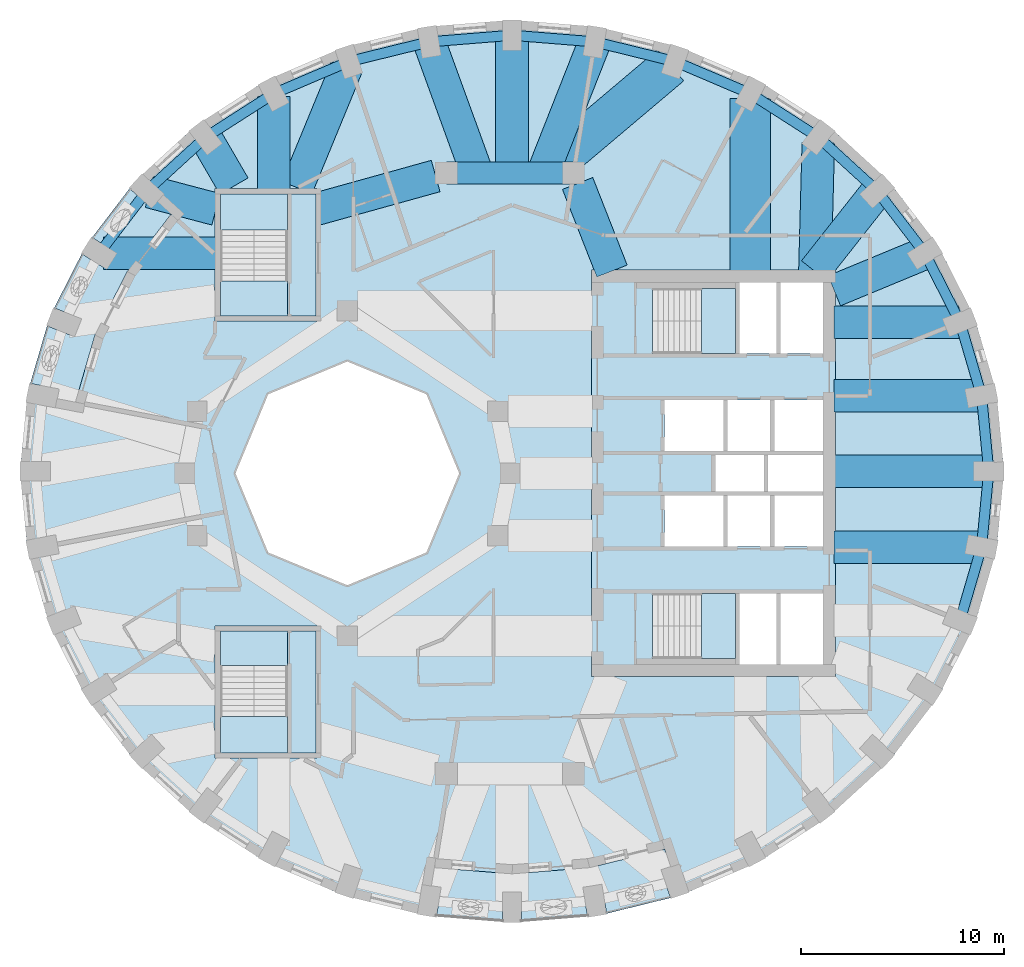
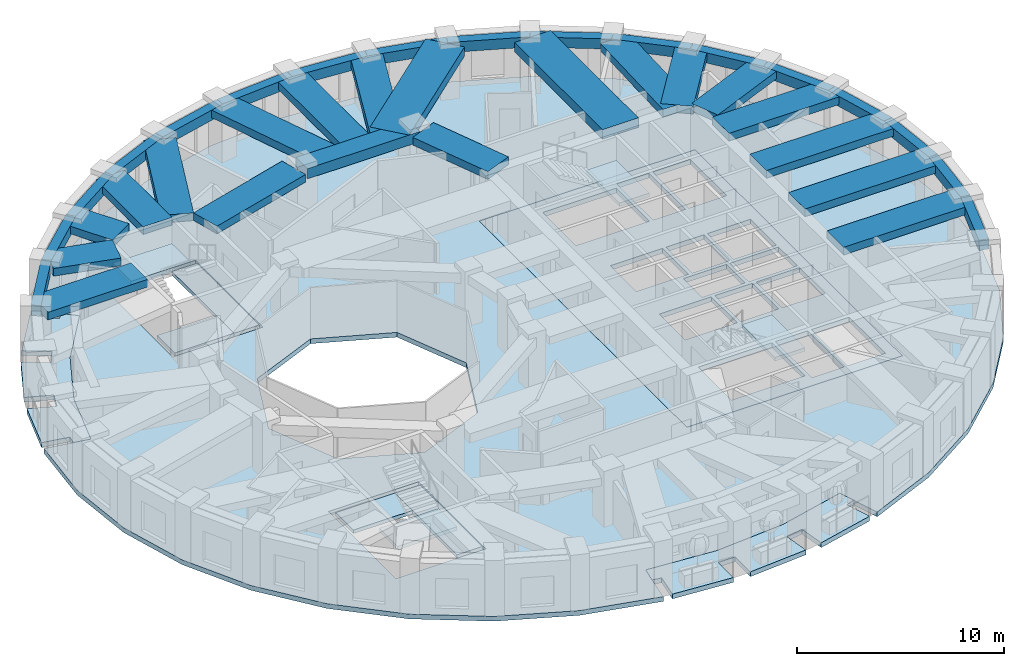
# One storey, part 2 of 11: 37 beams, 12 slabs, 4 elements without a shape of their own.
"""IFC4 building model written with IfcOpenShell, lengths in metres."""

from ifc_helpers import new_model, si_unit, direction, frame, origin, origin_2d, place, context, subcontext, project, spatial, polyline, rectangle, outline, extrude, material, layer, layer_set, material_profile, profile_set, type_object, element, aggregate, save


model = new_model("IFC4")

# Units and contexts
model_context = context("Model", 3, precision=1e-05, world=origin(), true_north=direction((0.0, 1.0)))
body_context = subcontext(model_context, "Body", "Model", "MODEL_VIEW")
ifc_project = project(units=[si_unit("LENGTHUNIT", "METRE"), si_unit("AREAUNIT", "SQUARE_METRE"), si_unit("VOLUMEUNIT", "CUBIC_METRE"), si_unit("PLANEANGLEUNIT", "RADIAN"), si_unit("MASSUNIT", "GRAM", prefix="KILO")], contexts=[model_context])

# Site, building, storey
site_placement = place(None, origin())
site = spatial("IfcSite", under=ifc_project, at=site_placement, CompositionType="ELEMENT")
building_placement = place(site_placement, origin())
building = spatial("IfcBuilding", under=site, at=building_placement, Name="Taillehof Tower", CompositionType="ELEMENT")
storey_placement = place(building_placement, frame((0.0, 0.0, 155.0)))
storey = spatial("IfcBuildingStorey", under=building, at=storey_placement, Name="L43", CompositionType="ELEMENT", Elevation=155.0)

# Beams
ifc_material_1 = material(Name="Concrete C50/60", Category="concrete")
ifc_material_profile_1 = material_profile(ifc_material_1, rectangle(XDim=1.10009765625, YDim=0.60009765625, at=origin_2d()), Name="RC 1100x600")
ifc_profile_set_1 = profile_set([ifc_material_profile_1], Name="Concrete C50/60")
beam_type_1 = type_object("IfcBeamType", Name="Mid-ring beam C50/60 1100x600", PredefinedType="BEAM", material=ifc_profile_set_1)
beam_1_placement = place(storey_placement, frame((3.125732421875, 14.772216796875, 2.719970703125), z_axis=(-1.0, 0.0, 0.0), x_axis=(0.0, -1.0, 0.0)))
element("IfcBeam", 1, at=beam_1_placement, inside=storey, type_object=beam_type_1, Name="Mid-ring beam MB01", PredefinedType="BEAM", context=body_context, shape_type="SweptSolid", body=[
    extrude(rectangle(XDim=1.10009765625, YDim=0.60009765625, at=origin_2d()), origin(), (0.0, 0.0, 1.0), 6.25146484375),
])
ifc_material_2 = material(Name="Concrete C50/60", Category="concrete")
ifc_material_profile_2 = material_profile(ifc_material_2, rectangle(XDim=1.60009765625, YDim=0.449951171875, at=origin_2d()), Name="RC 1600x450")
ifc_profile_set_2 = profile_set([ifc_material_profile_2], Name="Concrete C50/60")
beam_type_2 = type_object("IfcBeamType", Name="Radial band beam C50/60 1600x450", PredefinedType="BEAM", material=ifc_profile_set_2)
beam_2_placement = place(storey_placement, frame((23.550048828125, 0.10009765625, 2.794921875), z_axis=(-1.0, 0.0, 0.0), x_axis=(0.0, -1.0, 0.0)))
element("IfcBeam", 2, at=beam_2_placement, inside=storey, type_object=beam_type_2, Name="Radial band beam RB01", PredefinedType="BEAM", context=body_context, shape_type="SweptSolid", body=[
    extrude(rectangle(XDim=1.60009765625, YDim=0.449951171875, at=origin_2d()), origin(), (0.0, 0.0, 1.0), 7.60009765625),
])
beam_3_placement = place(storey_placement, frame((23.19384765625, 3.82470703125, 2.794921875), z_axis=(-1.0, 0.0, 0.0), x_axis=(0.0, -1.0, 0.0)))
element("IfcBeam", 3, at=beam_3_placement, inside=storey, type_object=beam_type_2, Name="Radial band beam RB02", PredefinedType="BEAM", context=body_context, shape_type="SweptSolid", body=[
    extrude(rectangle(XDim=1.60009765625, YDim=0.449951171875, at=origin_2d()), origin(), (0.0, 0.0, 1.0), 7.243896484375),
])
beam_4_placement = place(storey_placement, frame((22.08642578125, 7.436279296875, 2.794921875), z_axis=(-1.0, 0.0, 0.0), x_axis=(0.0, -1.0, 0.0)))
element("IfcBeam", 4, at=beam_4_placement, inside=storey, type_object=beam_type_2, Name="Radial band beam RB03", PredefinedType="BEAM", context=body_context, shape_type="SweptSolid", body=[
    extrude(rectangle(XDim=1.60009765625, YDim=0.449951171875, at=origin_2d()), origin(), (0.0, 0.0, 1.0), 6.136474609375),
])
beam_5_placement = place(storey_placement, frame((20.408203125, 10.824951171875, 2.794921875), z_axis=(-0.92395697655, -0.382496412381, 0.0), x_axis=(0.382496412381, -0.92395697655, 0.0)))
element("IfcBeam", 5, at=beam_5_placement, inside=storey, type_object=beam_type_2, Name="Radial band beam RB04", PredefinedType="BEAM", context=body_context, shape_type="SweptSolid", body=[
    extrude(rectangle(XDim=1.60009765625, YDim=0.449951171875, at=origin_2d()), origin(), (0.0, 0.0, 1.0), 4.821044921875),
])
beam_6_placement = place(storey_placement, frame((18.063720703125, 13.8876953125, 2.794921875), z_axis=(-0.618961692467, -0.785421175713, 0.0), x_axis=(0.785421175713, -0.618961692467, 0.0)))
element("IfcBeam", 6, at=beam_6_placement, inside=storey, type_object=beam_type_2, Name="Radial band beam RB05", PredefinedType="BEAM", context=body_context, shape_type="SweptSolid", body=[
    extrude(rectangle(XDim=1.60009765625, YDim=0.449951171875, at=origin_2d()), origin(), (0.0, 0.0, 1.0), 4.999755859375),
])
beam_7_placement = place(storey_placement, frame((15.166259765625, 16.259765625, 2.794921875), z_axis=(-0.026533506529, -0.999647924537, 0.0), x_axis=(0.999647924537, -0.026533506529, 0.0)))
element("IfcBeam", 7, at=beam_7_placement, inside=storey, type_object=beam_type_2, Name="Radial band beam RB06", PredefinedType="BEAM", context=body_context, shape_type="SweptSolid", body=[
    extrude(rectangle(XDim=1.60009765625, YDim=0.449951171875, at=origin_2d()), origin(), (0.0, 0.0, 1.0), 6.31201171875),
])
beam_8_placement = place(storey_placement, frame((4.172119140625, 21.22412109375, 2.794921875), z_axis=(-0.36711444375, -0.930175781877, 0.0), x_axis=(0.930175781877, -0.36711444375, 0.0)))
element("IfcBeam", 8, at=beam_8_placement, inside=storey, type_object=beam_type_2, Name="Radial band beam RB09", PredefinedType="BEAM", context=body_context, shape_type="SweptSolid", body=[
    extrude(rectangle(XDim=1.60009765625, YDim=0.449951171875, at=origin_2d()), origin(), (0.0, 0.0, 1.0), 6.936279296875),
])
beam_9_placement = place(storey_placement, frame((0.10009765625, 21.550048828125, 2.794921875), z_axis=(0.0, -1.0, 0.0), x_axis=(1.0, 0.0, 0.0)))
element("IfcBeam", 9, at=beam_9_placement, inside=storey, type_object=beam_type_2, Name="Radial band beam RB10", PredefinedType="BEAM", context=body_context, shape_type="SweptSolid", body=[
    extrude(rectangle(XDim=1.60009765625, YDim=0.449951171875, at=origin_2d()), origin(), (0.0, 0.0, 1.0), 6.77783203125),
])
beam_10_placement = place(storey_placement, frame((-3.97216796875, 21.22412109375, 2.794921875), z_axis=(0.341780181607, -0.939779925015, 0.0), x_axis=(0.939779925015, 0.341780181607, 0.0)))
element("IfcBeam", 10, at=beam_10_placement, inside=storey, type_object=beam_type_2, Name="Radial band beam RB11", PredefinedType="BEAM", context=body_context, shape_type="SweptSolid", body=[
    extrude(rectangle(XDim=1.60009765625, YDim=0.449951171875, at=origin_2d()), origin(), (0.0, 0.0, 1.0), 6.865234375),
])
beam_11_placement = place(storey_placement, frame((-8.04443359375, 19.95556640625, 2.794921875), z_axis=(-0.381176869418, -0.924502133162, 0.0), x_axis=(0.924502133162, -0.381176869418, 0.0)))
element("IfcBeam", 11, at=beam_11_placement, inside=storey, type_object=beam_type_2, Name="Radial band beam RB12", PredefinedType="BEAM", context=body_context, shape_type="SweptSolid", body=[
    extrude(rectangle(XDim=1.60009765625, YDim=0.449951171875, at=origin_2d()), origin(), (0.0, 0.0, 1.0), 6.382568359375),
])
beam_12_placement = place(storey_placement, frame((-11.625, 18.536376953125, 2.794921875), z_axis=(0.0, -1.0, 0.0), x_axis=(1.0, 0.0, 0.0)))
element("IfcBeam", 12, at=beam_12_placement, inside=storey, type_object=beam_type_2, Name="Radial band beam RB13", PredefinedType="BEAM", context=body_context, shape_type="SweptSolid", body=[
    extrude(rectangle(XDim=1.60009765625, YDim=0.449951171875, at=origin_2d()), origin(), (0.0, 0.0, 1.0), 4.58642578125),
])
beam_13_placement = place(storey_placement, frame((-14.973388671875, 16.53173828125, 2.794921875), z_axis=(0.502991419937, -0.864291404255, 0.0), x_axis=(0.864291404255, 0.502991419937, 0.0)))
element("IfcBeam", 13, at=beam_13_placement, inside=storey, type_object=beam_type_2, Name="Radial band beam RB14", PredefinedType="BEAM", context=body_context, shape_type="SweptSolid", body=[
    extrude(rectangle(XDim=1.60009765625, YDim=0.449951171875, at=origin_2d()), origin(), (0.0, 0.0, 1.0), 2.779296875),
])
beam_14_placement = place(storey_placement, frame((-17.72998046875, 13.8525390625, 2.794921875), z_axis=(0.966882543987, -0.255221758736, 0.0), x_axis=(0.255221758736, 0.966882543987, 0.0)))
element("IfcBeam", 14, at=beam_14_placement, inside=storey, type_object=beam_type_2, Name="Radial band beam RB15", PredefinedType="BEAM", context=body_context, shape_type="SweptSolid", body=[
    extrude(rectangle(XDim=1.60009765625, YDim=0.449951171875, at=origin_2d()), origin(), (0.0, 0.0, 1.0), 3.381591796875),
])
beam_15_placement = place(storey_placement, frame((-19.9990234375, 10.824951171875, 2.794921875), z_axis=(1.0, 0.0, 0.0), x_axis=(0.0, 1.0, 0.0)))
element("IfcBeam", 15, at=beam_15_placement, inside=storey, type_object=beam_type_2, Name="Radial band beam RB16", PredefinedType="BEAM", context=body_context, shape_type="SweptSolid", body=[
    extrude(rectangle(XDim=1.60009765625, YDim=0.449951171875, at=origin_2d()), origin(), (0.0, 0.0, 1.0), 5.549072265625),
])
beam_16_placement = place(storey_placement, frame((23.19384765625, -3.624755859375, 2.794921875), z_axis=(-1.0, 0.0, 0.0), x_axis=(0.0, -1.0, 0.0)))
element("IfcBeam", 16, at=beam_16_placement, inside=storey, type_object=beam_type_2, Name="Radial band beam RB36", PredefinedType="BEAM", context=body_context, shape_type="SweptSolid", body=[
    extrude(rectangle(XDim=1.60009765625, YDim=0.449951171875, at=origin_2d()), origin(), (0.0, 0.0, 1.0), 7.243896484375),
])
beam_17_placement = place(storey_placement, frame((3.32666015625, 14.26025390625, 2.794921875), z_axis=(0.365588707223, -0.930776502255, 0.0), x_axis=(0.930776502255, 0.365588707223, 0.0)))
element("IfcBeam", 17, at=beam_17_placement, inside=storey, type_object=beam_type_2, Name="Inner band beam IB205", PredefinedType="BEAM", context=body_context, shape_type="SweptSolid", body=[
    extrude(rectangle(XDim=1.60009765625, YDim=0.449951171875, at=origin_2d()), origin(), (0.0, 0.0, 1.0), 4.627197265625),
])
beam_18_placement = place(storey_placement, frame((-3.655517578125, 14.624755859375, 2.794921875), z_axis=(-0.963459369536, -0.267854518821, 0.0), x_axis=(0.267854518821, -0.963459369536, 0.0)))
element("IfcBeam", 18, at=beam_18_placement, inside=storey, type_object=beam_type_2, Name="Inner band beam IB206", PredefinedType="BEAM", context=body_context, shape_type="SweptSolid", body=[
    extrude(rectangle(XDim=1.60009765625, YDim=0.449951171875, at=origin_2d()), origin(), (0.0, 0.0, 1.0), 6.096923828125),
])
ifc_material_3 = material(Name="Concrete C50/60", Category="concrete")
ifc_material_profile_3 = material_profile(ifc_material_3, rectangle(XDim=2.0, YDim=0.550048828125, at=origin_2d()), Name="RC 2000x550")
ifc_profile_set_3 = profile_set([ifc_material_profile_3], Name="Concrete C50/60")
beam_type_3 = type_object("IfcBeamType", Name="Radial band beam C50/60 2000x550", PredefinedType="BEAM", material=ifc_profile_set_3)
beam_19_placement = place(storey_placement, frame((11.824951171875, 18.430908203125, 2.7451171875), z_axis=(0.0, -1.0, 0.0), x_axis=(1.0, 0.0, 0.0)))
element("IfcBeam", 19, at=beam_19_placement, inside=storey, type_object=beam_type_3, Name="Radial band beam RB07", PredefinedType="BEAM", context=body_context, shape_type="SweptSolid", body=[
    extrude(rectangle(XDim=2.0, YDim=0.550048828125, at=origin_2d()), origin(), (0.0, 0.0, 1.0), 8.48095703125),
])
beam_20_placement = place(storey_placement, frame((7.900390625, 20.070556640625, 2.7451171875), z_axis=(-0.764038060196, -0.645171173079, 0.0), x_axis=(0.645171173079, -0.764038060196, 0.0)))
element("IfcBeam", 20, at=beam_20_placement, inside=storey, type_object=beam_type_3, Name="Radial band beam RB08", PredefinedType="BEAM", context=body_context, shape_type="SweptSolid", body=[
    extrude(rectangle(XDim=2.0, YDim=0.550048828125, at=origin_2d()), origin(), (0.0, 0.0, 1.0), 7.880859375),
])
ifc_material_4 = material(Name="Concrete C50/60", Category="concrete")
ifc_material_profile_4 = material_profile(ifc_material_4, rectangle(XDim=0.5, YDim=0.60009765625, at=origin_2d()), Name="RC 500x600")
ifc_profile_set_4 = profile_set([ifc_material_profile_4], Name="Concrete C50/60")
beam_type_4 = type_object("IfcBeamType", Name="Spandrel beam C50/60 500x600", PredefinedType="SPANDREL", material=ifc_profile_set_4)
beam_21_placement = place(storey_placement, frame((23.550048828125, 0.10009765625, 2.719970703125), z_axis=(-0.095200147056, 0.995458151808, 0.0), x_axis=(-0.995458151808, -0.095200147056, 0.0)))
element("IfcBeam", 21, at=beam_21_placement, inside=storey, type_object=beam_type_4, Name="Spandrel beam SB01", PredefinedType="SPANDREL", context=body_context, shape_type="SweptSolid", body=[
    extrude(rectangle(XDim=0.5, YDim=0.60009765625, at=origin_2d()), origin(), (0.0, 0.0, 1.0), 3.74169921875),
])
beam_22_placement = place(storey_placement, frame((23.19384765625, 3.82470703125, 2.719970703125), z_axis=(-0.281158162606, 0.959661444261, 0.0), x_axis=(-0.959661444261, -0.281158162606, 0.0)))
element("IfcBeam", 22, at=beam_22_placement, inside=storey, type_object=beam_type_4, Name="Spandrel beam SB02", PredefinedType="SPANDREL", context=body_context, shape_type="SweptSolid", body=[
    extrude(rectangle(XDim=0.5, YDim=0.60009765625, at=origin_2d()), origin(), (0.0, 0.0, 1.0), 3.763427734375),
])
beam_23_placement = place(storey_placement, frame((22.1357421875, 7.436279296875, 2.719970703125), z_axis=(-0.454183451696, 0.890908183937, 0.0), x_axis=(-0.890908183937, -0.454183451696, 0.0)))
element("IfcBeam", 23, at=beam_23_placement, inside=storey, type_object=beam_type_4, Name="Spandrel beam SB03", PredefinedType="SPANDREL", context=body_context, shape_type="SweptSolid", body=[
    extrude(rectangle(XDim=0.5, YDim=0.60009765625, at=origin_2d()), origin(), (0.0, 0.0, 1.0), 3.8037109375),
])
beam_24_placement = place(storey_placement, frame((20.408203125, 10.824951171875, 2.719970703125), z_axis=(-0.60784004271, 0.794059495553, 0.0), x_axis=(-0.794059495553, -0.60784004271, 0.0)))
element("IfcBeam", 24, at=beam_24_placement, inside=storey, type_object=beam_type_4, Name="Spandrel beam SB04", PredefinedType="SPANDREL", context=body_context, shape_type="SweptSolid", body=[
    extrude(rectangle(XDim=0.5, YDim=0.60009765625, at=origin_2d()), origin(), (0.0, 0.0, 1.0), 3.857177734375),
])
beam_25_placement = place(storey_placement, frame((18.063720703125, 13.8876953125, 2.719970703125), z_axis=(-0.737849657471, 0.674965097594, 0.0), x_axis=(-0.674965097594, -0.737849657471, 0.0)))
element("IfcBeam", 25, at=beam_25_placement, inside=storey, type_object=beam_type_4, Name="Spandrel beam SB05", PredefinedType="SPANDREL", context=body_context, shape_type="SweptSolid", body=[
    extrude(rectangle(XDim=0.5, YDim=0.60009765625, at=origin_2d()), origin(), (0.0, 0.0, 1.0), 3.917236328125),
])
beam_26_placement = place(storey_placement, frame((15.17333984375, 16.53173828125, 2.719970703125), z_axis=(-0.842092940799, 0.53933243835, 0.0), x_axis=(-0.53933243835, -0.842092940799, 0.0)))
element("IfcBeam", 26, at=beam_26_placement, inside=storey, type_object=beam_type_4, Name="Spandrel beam SB06", PredefinedType="SPANDREL", context=body_context, shape_type="SweptSolid", body=[
    extrude(rectangle(XDim=0.5, YDim=0.60009765625, at=origin_2d()), origin(), (0.0, 0.0, 1.0), 3.976318359375),
])
beam_27_placement = place(storey_placement, frame((11.824951171875, 18.67626953125, 2.719970703125), z_axis=(-0.919827173659, 0.392323808351, 0.0), x_axis=(-0.392323808351, -0.919827173659, 0.0)))
element("IfcBeam", 27, at=beam_27_placement, inside=storey, type_object=beam_type_4, Name="Spandrel beam SB07", PredefinedType="SPANDREL", context=body_context, shape_type="SweptSolid", body=[
    extrude(rectangle(XDim=0.5, YDim=0.60009765625, at=origin_2d()), origin(), (0.0, 0.0, 1.0), 4.027587890625),
])
beam_28_placement = place(storey_placement, frame((8.120361328125, 20.25634765625, 2.719970703125), z_axis=(-0.971248584585, 0.238067610023, 0.0), x_axis=(-0.238067610023, -0.971248584585, 0.0)))
element("IfcBeam", 28, at=beam_28_placement, inside=storey, type_object=beam_type_4, Name="Spandrel beam SB08", PredefinedType="SPANDREL", context=body_context, shape_type="SweptSolid", body=[
    extrude(rectangle(XDim=0.5, YDim=0.60009765625, at=origin_2d()), origin(), (0.0, 0.0, 1.0), 4.065185546875),
])
beam_29_placement = place(storey_placement, frame((4.172119140625, 21.22412109375, 2.719970703125), z_axis=(-0.996812047205, 0.079785603634, 0.0), x_axis=(-0.079785603634, -0.996812047205, 0.0)))
element("IfcBeam", 29, at=beam_29_placement, inside=storey, type_object=beam_type_4, Name="Spandrel beam SB09", PredefinedType="SPANDREL", context=body_context, shape_type="SweptSolid", body=[
    extrude(rectangle(XDim=0.5, YDim=0.60009765625, at=origin_2d()), origin(), (0.0, 0.0, 1.0), 4.0849609375),
])
beam_30_placement = place(storey_placement, frame((0.10009765625, 21.550048828125, 2.719970703125), z_axis=(-0.996812427616, -0.079780850771, 0.0), x_axis=(0.079780850771, -0.996812427616, 0.0)))
element("IfcBeam", 30, at=beam_30_placement, inside=storey, type_object=beam_type_4, Name="Spandrel beam SB10", PredefinedType="SPANDREL", context=body_context, shape_type="SweptSolid", body=[
    extrude(rectangle(XDim=0.5, YDim=0.60009765625, at=origin_2d()), origin(), (0.0, 0.0, 1.0), 4.085205078125),
])
beam_31_placement = place(storey_placement, frame((-3.97216796875, 21.22412109375, 2.719970703125), z_axis=(-0.971248584585, -0.238067610023, 0.0), x_axis=(0.238067610023, -0.971248584585, 0.0)))
element("IfcBeam", 31, at=beam_31_placement, inside=storey, type_object=beam_type_4, Name="Spandrel beam SB11", PredefinedType="SPANDREL", context=body_context, shape_type="SweptSolid", body=[
    extrude(rectangle(XDim=0.5, YDim=0.60009765625, at=origin_2d()), origin(), (0.0, 0.0, 1.0), 4.065185546875),
])
beam_32_placement = place(storey_placement, frame((-7.92041015625, 20.25634765625, 2.719970703125), z_axis=(-0.919827173659, -0.392323808351, 0.0), x_axis=(0.392323808351, -0.919827173659, 0.0)))
element("IfcBeam", 32, at=beam_32_placement, inside=storey, type_object=beam_type_4, Name="Spandrel beam SB12", PredefinedType="SPANDREL", context=body_context, shape_type="SweptSolid", body=[
    extrude(rectangle(XDim=0.5, YDim=0.60009765625, at=origin_2d()), origin(), (0.0, 0.0, 1.0), 4.027587890625),
])
beam_33_placement = place(storey_placement, frame((-11.625, 18.67626953125, 2.719970703125), z_axis=(-0.842092940799, -0.53933243835, 0.0), x_axis=(0.53933243835, -0.842092940799, 0.0)))
element("IfcBeam", 33, at=beam_33_placement, inside=storey, type_object=beam_type_4, Name="Spandrel beam SB13", PredefinedType="SPANDREL", context=body_context, shape_type="SweptSolid", body=[
    extrude(rectangle(XDim=0.5, YDim=0.60009765625, at=origin_2d()), origin(), (0.0, 0.0, 1.0), 3.976318359375),
])
beam_34_placement = place(storey_placement, frame((-14.973388671875, 16.53173828125, 2.719970703125), z_axis=(-0.737849657471, -0.674965097594, 0.0), x_axis=(0.674965097594, -0.737849657471, 0.0)))
element("IfcBeam", 34, at=beam_34_placement, inside=storey, type_object=beam_type_4, Name="Spandrel beam SB14", PredefinedType="SPANDREL", context=body_context, shape_type="SweptSolid", body=[
    extrude(rectangle(XDim=0.5, YDim=0.60009765625, at=origin_2d()), origin(), (0.0, 0.0, 1.0), 3.917236328125),
])
beam_35_placement = place(storey_placement, frame((-17.86376953125, 13.8876953125, 2.719970703125), z_axis=(-0.60784004271, -0.794059495553, 0.0), x_axis=(0.794059495553, -0.60784004271, 0.0)))
element("IfcBeam", 35, at=beam_35_placement, inside=storey, type_object=beam_type_4, Name="Spandrel beam SB15", PredefinedType="SPANDREL", context=body_context, shape_type="SweptSolid", body=[
    extrude(rectangle(XDim=0.5, YDim=0.60009765625, at=origin_2d()), origin(), (0.0, 0.0, 1.0), 3.857177734375),
])
beam_36_placement = place(storey_placement, frame((22.1357421875, -7.236328125, 2.719970703125), z_axis=(0.281158162606, 0.959661444261, 0.0), x_axis=(-0.959661444261, 0.281158162606, 0.0)))
element("IfcBeam", 36, at=beam_36_placement, inside=storey, type_object=beam_type_4, Name="Spandrel beam SB35", PredefinedType="SPANDREL", context=body_context, shape_type="SweptSolid", body=[
    extrude(rectangle(XDim=0.5, YDim=0.60009765625, at=origin_2d()), origin(), (0.0, 0.0, 1.0), 3.763427734375),
])
beam_37_placement = place(storey_placement, frame((23.19384765625, -3.624755859375, 2.719970703125), z_axis=(0.095193963834, 0.995458743118, 0.0), x_axis=(-0.995458743118, 0.095193963834, 0.0)))
element("IfcBeam", 37, at=beam_37_placement, inside=storey, type_object=beam_type_4, Name="Spandrel beam SB36", PredefinedType="SPANDREL", context=body_context, shape_type="SweptSolid", body=[
    extrude(rectangle(XDim=0.5, YDim=0.60009765625, at=origin_2d()), origin(), (0.0, 0.0, 1.0), 3.741943359375),
])

# Slabs
ifc_material_5 = material(Name="Concrete C40/50", Category="concrete")
ifc_layer_1 = layer(ifc_material_5, 0.280029296875)
ifc_layer_set_1 = layer_set([ifc_layer_1], Name="Balcony slab 280")
slab_type_1 = type_object("IfcSlabType", Name="Balcony slab 280", PredefinedType="USERDEFINED", material=ifc_layer_set_1)
slab_1_placement = place(storey_placement, frame((0.0, 0.0, -0.280029296875)))
element("IfcSlab", 38, at=slab_1_placement, inside=storey, type_object=slab_type_1, Name="Balcony L43 pocket 8", ObjectType="BALCONY", PredefinedType="USERDEFINED", context=body_context, shape_type="SweptSolid", body=[
    extrude(outline(polyline([(7.61669921875, -18.484619140625), (7.90185546875, -19.338623046875), (7.432373046875, -19.495361328125), (7.89453125, -20.879638671875), (4.754638671875, -21.651611328125), (4.521240234375, -20.2080078125), (3.58349609375, -20.359619140625), (3.816650390625, -21.8017578125), (0.574951171875, -22.061767578125), (0.574951171875, -20.60009765625), (-0.375, -20.60009765625), (-0.375, -22.061767578125), (-3.61669921875, -21.8017578125), (-3.38330078125, -20.359619140625), (-3.86279296875, -20.281982421875), (-3.718994140625, -19.3935546875), (0.10009765625, -19.699951171875), (3.9189453125, -19.3935546875), (7.61669921875, -18.484619140625)])), origin(), (0.0, 0.0, 1.0), 0.280029296875),
])
slab_2_placement = place(storey_placement, frame((0.0, 0.0, -0.280029296875)))
element("IfcSlab", 39, at=slab_2_placement, inside=storey, type_object=slab_type_1, Name="Balcony L43 pocket 4", ObjectType="BALCONY", PredefinedType="USERDEFINED", context=body_context, shape_type="SweptSolid", body=[
    extrude(outline(polyline([(-21.37548828125, 3.501953125), (-22.25927734375, 3.671875), (-22.16748046875, 4.149658203125), (-23.59521484375, 4.424072265625), (-22.768310546875, 7.255615234375), (-21.413818359375, 6.71826171875), (-21.0634765625, 7.601318359375), (-22.41455078125, 8.137451171875), (-21.06103515625, 10.80029296875), (-19.82666015625, 10.0234375), (-19.320556640625, 10.82763671875), (-20.551025390625, 11.60205078125), (-18.7080078125, 14.016357421875), (-17.630859375, 13.031005859375), (-17.33203125, 13.35791015625), (-16.66748046875, 12.75), (-18.82666015625, 9.921630859375), (-20.40966796875, 6.807861328125), (-21.37548828125, 3.501953125)])), origin(), (0.0, 0.0, 1.0), 0.280029296875),
])
ifc_material_6 = material(Name="Concrete C40/50", Category="concrete")
ifc_layer_2 = layer(ifc_material_6, 0.280029296875)
ifc_layer_set_2 = layer_set([ifc_layer_2], Name="Core floor slab C40/50 280")
slab_type_2 = type_object("IfcSlabType", Name="Core floor slab C40/50 280", PredefinedType="FLOOR", material=ifc_layer_set_2)
slab_3_placement = place(storey_placement, frame((0.0, 0.0, -0.280029296875)))
element("IfcSlab", 40, at=slab_3_placement, inside=storey, type_object=slab_type_2, Name="Core floor L43", PredefinedType="FLOOR", context=body_context, shape_type="SweptSolid", body=[
    extrude(outline(polyline([(4.0, -10.0), (4.0, 10.0), (16.0, 10.0), (16.0, -10.0), (4.0, -10.0)]), holes=[polyline([(11.10009765625, -9.10009765625), (11.10009765625, -5.89990234375), (7.00048828125, -5.89990234375), (7.00048828125, -9.10009765625), (11.10009765625, -9.10009765625)]), polyline([(10.5, -3.60009765625), (10.5, -1.10009765625), (7.60009765625, -1.10009765625), (7.60009765625, -3.60009765625), (10.5, -3.60009765625)]), polyline([(12.800048828125, -3.60009765625), (12.800048828125, -1.10009765625), (10.699951171875, -1.10009765625), (10.699951171875, -3.60009765625), (12.800048828125, -3.60009765625)]), polyline([(12.5, -0.89990234375), (12.5, 0.89990234375), (10.10009765625, 0.89990234375), (10.10009765625, -0.89990234375), (12.5, -0.89990234375)]), polyline([(10.5, 1.10009765625), (10.5, 3.60009765625), (7.60009765625, 3.60009765625), (7.60009765625, 1.10009765625), (10.5, 1.10009765625)]), polyline([(12.800048828125, 1.10009765625), (12.800048828125, 3.60009765625), (10.699951171875, 3.60009765625), (10.699951171875, 1.10009765625), (12.800048828125, 1.10009765625)]), polyline([(11.10009765625, 5.89990234375), (11.10009765625, 9.10009765625), (7.00048828125, 9.10009765625), (7.00048828125, 5.89990234375), (11.10009765625, 5.89990234375)]), polyline([(13.10009765625, -5.89990234375), (11.300048828125, -5.89990234375), (11.300048828125, -9.39990234375), (13.10009765625, -9.39990234375), (13.10009765625, -5.89990234375)]), polyline([(15.39990234375, -9.39990234375), (15.39990234375, -5.89990234375), (13.300048828125, -5.89990234375), (13.300048828125, -9.39990234375), (15.39990234375, -9.39990234375)]), polyline([(15.39990234375, -3.60009765625), (15.39990234375, -1.10009765625), (13.0, -1.10009765625), (13.0, -3.60009765625), (15.39990234375, -3.60009765625)]), polyline([(15.39990234375, -0.89990234375), (15.39990234375, 0.89990234375), (12.699951171875, 0.89990234375), (12.699951171875, -0.89990234375), (15.39990234375, -0.89990234375)]), polyline([(15.39990234375, 1.10009765625), (15.39990234375, 3.60009765625), (13.0, 3.60009765625), (13.0, 1.10009765625), (15.39990234375, 1.10009765625)]), polyline([(13.10009765625, 5.89990234375), (13.10009765625, 9.39990234375), (11.300048828125, 9.39990234375), (11.300048828125, 5.89990234375), (13.10009765625, 5.89990234375)]), polyline([(15.39990234375, 5.89990234375), (15.39990234375, 9.39990234375), (13.300048828125, 9.39990234375), (13.300048828125, 5.89990234375), (15.39990234375, 5.89990234375)])]), origin(), (0.0, 0.0, 1.0), 0.280029296875),
])
ifc_material_7 = material(Name="Concrete C40/50", Category="concrete")
ifc_layer_3 = layer(ifc_material_7, 0.280029296875)
ifc_layer_set_3 = layer_set([ifc_layer_3], Name="Floor slab 280")
slab_type_3 = type_object("IfcSlabType", Name="Floor slab 280", PredefinedType="FLOOR", material=ifc_layer_set_3)
slab_4_placement = place(storey_placement, frame((0.0, 0.0, -0.280029296875)))
element("IfcSlab", 41, at=slab_4_placement, inside=storey, type_object=slab_type_3, Name="Floor slab L43", PredefinedType="FLOOR", context=body_context, shape_type="SweptSolid", body=[
    extrude(outline(polyline([(24.300048828125, 0.10009765625), (23.932373046875, 3.955078125), (22.840576171875, 7.69287109375), (21.057861328125, 11.199951171875), (18.63818359375, 14.369873046875), (15.655517578125, 17.106201171875), (12.199951171875, 19.32568359375), (8.376953125, 20.961181640625), (4.30224609375, 21.962646484375), (0.10009765625, 22.300048828125), (-4.102294921875, 21.962646484375), (-8.177001953125, 20.961181640625), (-12.0, 19.32568359375), (-15.45556640625, 17.106201171875), (-18.438232421875, 14.369873046875), (-16.66748046875, 12.75), (-18.82666015625, 9.921630859375), (-20.40966796875, 6.8076171875), (-21.37548828125, 3.501953125), (-23.732421875, 3.955078125), (-24.10009765625, 0.10009765625), (-23.732421875, -3.7548828125), (-22.640625, -7.492919921875), (-20.85791015625, -11.0), (-18.438232421875, -14.169921875), (-15.45556640625, -16.90625), (-12.0, -19.125732421875), (-8.177001953125, -20.76123046875), (-4.102294921875, -21.7626953125), (-3.718994140625, -19.3935546875), (0.10009765625, -19.699951171875), (3.919189453125, -19.3935546875), (7.61669921875, -18.484619140625), (8.376953125, -20.76123046875), (12.199951171875, -19.125732421875), (15.655517578125, -16.90625), (18.63818359375, -14.169921875), (21.057861328125, -11.0), (22.840576171875, -7.492919921875), (23.932373046875, -3.7548828125), (24.300048828125, 0.10009765625)]), holes=[polyline([(-14.5, -7.5), (-9.5, -7.5), (-9.5, -14.0), (-14.5, -14.0), (-14.5, -7.5)]), polyline([(-8.0, -5.5), (-11.88916015625, -3.88916015625), (-13.5, 0.0), (-11.88916015625, 3.88916015625), (-8.0, 5.5), (-4.11083984375, 3.88916015625), (-2.5, 0.0), (-4.11083984375, -3.88916015625), (-8.0, -5.5)]), polyline([(16.0, 10.0), (16.0, -10.0), (4.0, -10.0), (4.0, 10.0), (16.0, 10.0)]), polyline([(-14.5, 14.0), (-9.5, 14.0), (-9.5, 7.5), (-14.5, 7.5), (-14.5, 14.0)])]), origin(), (0.0, 0.0, 1.0), 0.280029296875),
])

# Stair, slab
ifc_material_8 = material(Name="Concrete C40/50", Category="concrete")
stair_type = type_object("IfcStairType", Name="Exit stair half-turn", PredefinedType="HALF_TURN_STAIR", material=ifc_material_8)
stair_1_placement = place(storey_placement, origin())
stair_1 = element("IfcStair", 42, at=stair_1_placement, inside=storey, type_object=stair_type, Name="Exit stair S1", PredefinedType="HALF_TURN_STAIR")
ifc_material_9 = material(Name="Concrete C40/50", Category="concrete")
ifc_layer_4 = layer(ifc_material_9, 0.2099609375)
ifc_layer_set_4 = layer_set([ifc_layer_4], Name="Stair landing C40/50 210")
slab_type_4 = type_object("IfcSlabType", Name="Stair landing C40/50 210", PredefinedType="LANDING", material=ifc_layer_set_4)
slab_5_placement = place(storey_placement, frame((0.0, 0.0, 1.43994140625)))
slab_5 = element("IfcSlab", 43, at=slab_5_placement, type_object=slab_type_4, Name="S1 landing 1", PredefinedType="LANDING", context=body_context, shape_type="SweptSolid", body=[
    extrude(outline(polyline([(9.429931640625, 5.89990234375), (11.10009765625, 5.89990234375), (11.10009765625, 9.10009765625), (9.429931640625, 9.10009765625), (9.429931640625, 5.89990234375)])), origin(), (0.0, 0.0, 1.0), 0.2099609375),
])
aggregate(stair_1, [slab_5])

stair_2_placement = place(storey_placement, origin())
stair_2 = element("IfcStair", 44, at=stair_2_placement, inside=storey, type_object=stair_type, Name="Exit stair S2", PredefinedType="HALF_TURN_STAIR")
slab_6_placement = place(storey_placement, frame((0.0, 0.0, 1.43994140625)))
slab_6 = element("IfcSlab", 45, at=slab_6_placement, type_object=slab_type_4, Name="S2 landing 1", PredefinedType="LANDING", context=body_context, shape_type="SweptSolid", body=[
    extrude(outline(polyline([(9.429931640625, -5.89990234375), (11.10009765625, -5.89990234375), (11.10009765625, -9.10009765625), (9.429931640625, -9.10009765625), (9.429931640625, -5.89990234375)])), origin(), (0.0, 0.0, 1.0), 0.2099609375),
])
aggregate(stair_2, [slab_6])

stair_3_placement = place(storey_placement, origin())
stair_3 = element("IfcStair", 46, at=stair_3_placement, inside=storey, type_object=stair_type, Name="Exit stair S3", PredefinedType="HALF_TURN_STAIR")
slab_7_placement = place(storey_placement, frame((0.0, 0.0, 1.43994140625)))
slab_7 = element("IfcSlab", 47, at=slab_7_placement, type_object=slab_type_4, Name="S3 landing 1", PredefinedType="LANDING", context=body_context, shape_type="SweptSolid", body=[
    extrude(outline(polyline([(-14.25, 11.969970703125), (-14.25, 13.75), (-10.949951171875, 13.75), (-10.949951171875, 11.969970703125), (-14.25, 11.969970703125)])), origin(), (0.0, 0.0, 1.0), 0.2099609375),
])
aggregate(stair_3, [slab_7])

stair_4_placement = place(storey_placement, origin())
stair_4 = element("IfcStair", 48, at=stair_4_placement, inside=storey, type_object=stair_type, Name="Exit stair S4", PredefinedType="HALF_TURN_STAIR")
slab_8_placement = place(storey_placement, frame((0.0, 0.0, 1.43994140625)))
slab_8 = element("IfcSlab", 49, at=slab_8_placement, type_object=slab_type_4, Name="S4 landing 1", PredefinedType="LANDING", context=body_context, shape_type="SweptSolid", body=[
    extrude(outline(polyline([(-14.25, -11.969970703125), (-14.25, -13.75), (-10.949951171875, -13.75), (-10.949951171875, -11.969970703125), (-14.25, -11.969970703125)])), origin(), (0.0, 0.0, 1.0), 0.2099609375),
])
aggregate(stair_4, [slab_8])

# Slabs
slab_9_placement = place(storey_placement, frame((0.0, 0.0, -0.2099609375)))
element("IfcSlab", 50, at=slab_9_placement, inside=storey, type_object=slab_type_4, Name="Stair S3 floor landing", PredefinedType="LANDING", context=body_context, shape_type="SweptSolid", body=[
    extrude(outline(polyline([(-14.25, 7.75), (-14.25, 9.449951171875), (-10.949951171875, 9.449951171875), (-10.949951171875, 7.75), (-14.25, 7.75)])), origin(), (0.0, 0.0, 1.0), 0.2099609375),
])
slab_10_placement = place(storey_placement, frame((0.0, 0.0, -0.2099609375)))
element("IfcSlab", 51, at=slab_10_placement, inside=storey, type_object=slab_type_4, Name="Stair lobby S3 floor", PredefinedType="LANDING", context=body_context, shape_type="SweptSolid", body=[
    extrude(outline(polyline([(-10.949951171875, 7.75), (-9.550048828125, 7.75), (-9.550048828125, 13.75), (-10.949951171875, 13.75), (-10.949951171875, 7.75)])), origin(), (0.0, 0.0, 1.0), 0.2099609375),
])
slab_11_placement = place(storey_placement, frame((0.0, 0.0, -0.2099609375)))
element("IfcSlab", 52, at=slab_11_placement, inside=storey, type_object=slab_type_4, Name="Stair S4 floor landing", PredefinedType="LANDING", context=body_context, shape_type="SweptSolid", body=[
    extrude(outline(polyline([(-14.25, -7.75), (-14.25, -9.449951171875), (-10.949951171875, -9.449951171875), (-10.949951171875, -7.75), (-14.25, -7.75)])), origin(), (0.0, 0.0, 1.0), 0.2099609375),
])
slab_12_placement = place(storey_placement, frame((0.0, 0.0, -0.2099609375)))
element("IfcSlab", 53, at=slab_12_placement, inside=storey, type_object=slab_type_4, Name="Stair lobby S4 floor", PredefinedType="LANDING", context=body_context, shape_type="SweptSolid", body=[
    extrude(outline(polyline([(-10.949951171875, -13.75), (-9.550048828125, -13.75), (-9.550048828125, -7.75), (-10.949951171875, -7.75), (-10.949951171875, -13.75)])), origin(), (0.0, 0.0, 1.0), 0.2099609375),
])

save(model, "model.ifc")
